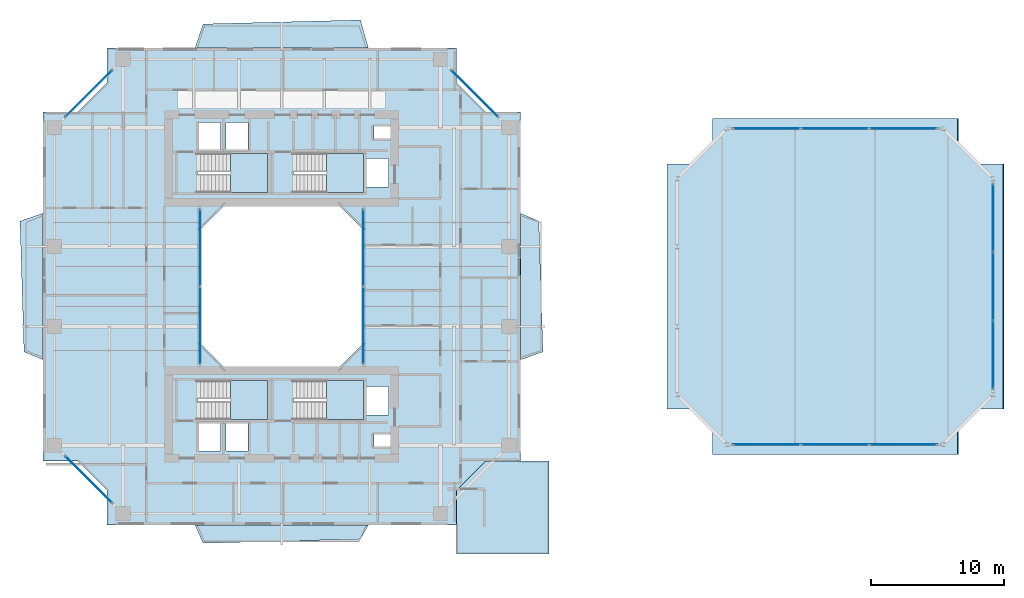
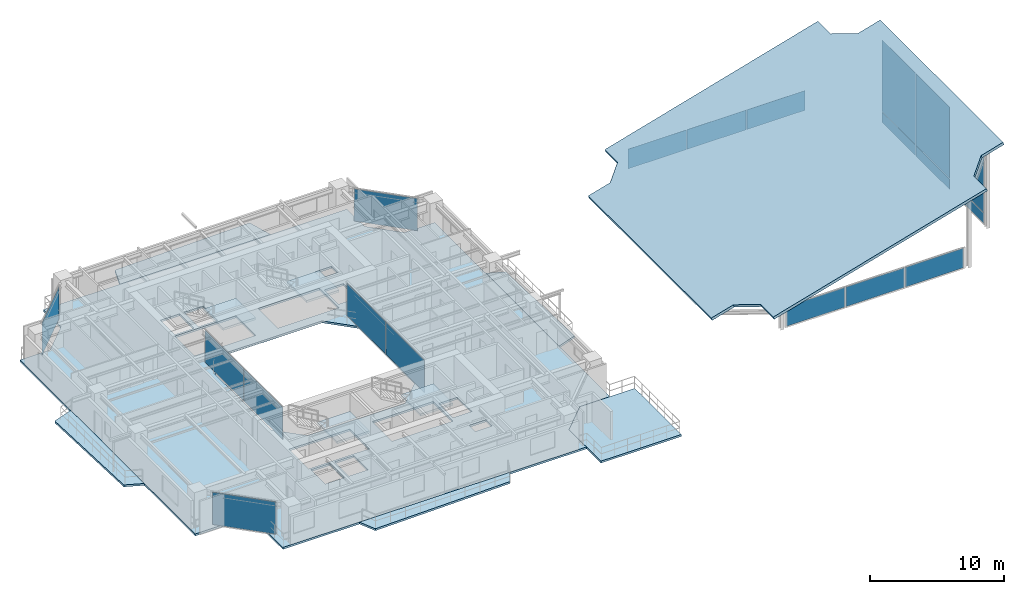
# One storey, part 16 of 28: 19 plates, 11 slabs, 12 elements without a shape of their own.
"""IFC4 building model written with IfcOpenShell, lengths in metres."""

import ifcopenshell
import ifcopenshell.guid

model = None  # the IFC model being written
_history = None  # IfcOwnerHistory: only IFC2X3 demands one
_inside = {}  # id of a spatial element -> (the spatial element, [elements in it])
_under = {}  # id of a project, library or spatial element -> (it, [spatial elements below it])
_declared = {}  # id of a project -> (the project, [libraries it declares])
_typed = {}  # id of a type object -> (the type object, [elements of that type])
_made_of = {}  # id of a material, layer set ... -> (it, [elements and type objects made of it])


def new_model(schema):
    """Start an empty IFC model of exactly this schema.

    Asked for "IFC4X3", IfcOpenShell would pick the latest addendum, in which some entities
    have other attributes; the version numbers below select the first issue.
    IFC2X3 requires an IfcOwnerHistory on every rooted entity: one is made here for all.
    """
    global model, _history
    if schema == "IFC4X3":
        model = ifcopenshell.file(schema_version=(4, 3, 0, 0))
    else:
        model = ifcopenshell.file(schema=schema)
    _inside.clear()
    _under.clear()
    _declared.clear()
    _typed.clear()
    _made_of.clear()
    _history = None
    if model.schema == "IFC2X3":
        org = make("IfcOrganization", Name="unknown")
        user = make(
            "IfcPersonAndOrganization",
            ThePerson=make("IfcPerson", FamilyName="unknown"),
            TheOrganization=org,
        )
        app = make(
            "IfcApplication",
            ApplicationDeveloper=org,
            Version="unknown",
            ApplicationFullName="unknown",
            ApplicationIdentifier="unknown",
        )
        _history = make(
            "IfcOwnerHistory",
            OwningUser=user,
            OwningApplication=app,
            ChangeAction="ADDED",
            CreationDate=0,
        )
    return model


def make(cls, **values):
    """One entity of the class cls with the attributes given. An attribute that is None is left unset."""
    return model.create_entity(
        cls, **{name: value for name, value in values.items() if value is not None}
    )


def rooted(cls, **values):
    """An entity with a GlobalId (a new one), such as an element, a storey or a relation."""
    return make(cls, GlobalId=ifcopenshell.guid.new(), OwnerHistory=_history, **values)


def si_unit(unit_type, name, prefix=None):
    """IfcSIUnit, for example si_unit("LENGTHUNIT", "METRE", prefix="MILLI")."""
    return make("IfcSIUnit", UnitType=unit_type, Prefix=prefix, Name=name)


def assignment(units):
    """IfcUnitAssignment: the units of a project."""
    return None if units is None else make("IfcUnitAssignment", Units=units)


def point(xyz):
    """IfcCartesianPoint."""
    return None if xyz is None else make("IfcCartesianPoint", Coordinates=xyz)


def direction(xyz):
    """IfcDirection."""
    return None if xyz is None else make("IfcDirection", DirectionRatios=xyz)


def frame(location, z_axis=None, x_axis=None):
    """IfcAxis2Placement3D, a coordinate frame: its origin and axes. An axis left out is left unset."""
    return make(
        "IfcAxis2Placement3D",
        Location=point(location),
        Axis=direction(z_axis),
        RefDirection=direction(x_axis),
    )


def frame_2d(location, x_axis=None):
    """IfcAxis2Placement2D, a coordinate frame in the plane: its origin and x axis."""
    return make(
        "IfcAxis2Placement2D", Location=point(location), RefDirection=direction(x_axis)
    )


def origin():
    """The frame at (0, 0, 0) with its axes left unset."""
    return frame((0.0, 0.0, 0.0))


def origin_2d():
    """The frame at (0, 0) in the plane with its x axis left unset."""
    return frame_2d((0.0, 0.0))


def place(relative_to, where):
    """IfcLocalPlacement: puts the frame where relative to a parent placement (None: the world)."""
    return make(
        "IfcLocalPlacement", PlacementRelTo=relative_to, RelativePlacement=where
    )


def context(
    kind, dimensions, precision=None, world=None, true_north=None, identifier=None
):
    """IfcGeometricRepresentationContext, for example the 3D "Model" context."""
    return make(
        "IfcGeometricRepresentationContext",
        ContextIdentifier=identifier,
        ContextType=kind,
        CoordinateSpaceDimension=dimensions,
        Precision=precision,
        WorldCoordinateSystem=world,
        TrueNorth=true_north,
    )


def subcontext(parent, identifier, kind, view, scale=None):
    """IfcGeometricRepresentationSubContext, for example "Body" below "Model"."""
    return make(
        "IfcGeometricRepresentationSubContext",
        ContextIdentifier=identifier,
        ContextType=kind,
        ParentContext=parent,
        TargetScale=scale,
        TargetView=view,
    )


def project(units=None, contexts=None):
    """IfcProject with its units and contexts."""
    return rooted(
        "IfcProject",
        Name="project",
        RepresentationContexts=contexts,
        UnitsInContext=assignment(units),
    )


def spatial(cls, under=None, at=None, **own):
    """A site, building, storey or space (cls), placed at a placement, below another one or the project."""
    s = rooted(cls, ObjectPlacement=at, **own)
    if under is not None:
        _under.setdefault(under.id(), (under, []))[1].append(s)
    return s


def polyline(points):
    """IfcPolyline through the points."""
    return make("IfcPolyline", Points=[point(p) for p in points])


def profile(cls, at=None, kind="AREA", **sizes):
    """A parametric profile (cls). Its sizes go by their IFC names, for example OverallWidth=200.0."""
    return make(cls, ProfileType=kind, Position=at, **sizes)


def rectangle(**sizes):
    """IfcRectangleProfileDef."""
    return profile("IfcRectangleProfileDef", **sizes)


def outline(outer, holes=None, kind="AREA"):
    """IfcArbitraryClosedProfileDef: a profile drawn as a closed curve; with holes, ...WithVoids."""
    if holes is None:
        return make("IfcArbitraryClosedProfileDef", ProfileType=kind, OuterCurve=outer)
    return make(
        "IfcArbitraryProfileDefWithVoids",
        ProfileType=kind,
        OuterCurve=outer,
        InnerCurves=holes,
    )


def extrude(swept, where, along, depth):
    """IfcExtrudedAreaSolid: the profile swept, set in the frame where, extruded along a direction by depth."""
    return make(
        "IfcExtrudedAreaSolid",
        SweptArea=swept,
        Position=where,
        ExtrudedDirection=direction(along),
        Depth=depth,
    )


def shape(context_of_items, identifier, shape_type, items):
    """IfcShapeRepresentation: the items that make up one representation, for example the "Body"."""
    return make(
        "IfcShapeRepresentation",
        ContextOfItems=context_of_items,
        RepresentationIdentifier=identifier,
        RepresentationType=shape_type,
        Items=items,
    )


def source(mapping_origin, context_of_items, identifier, shape_type, items):
    """IfcRepresentationMap: a shape defined once, which mapped items show again and again."""
    return make(
        "IfcRepresentationMap",
        MappingOrigin=mapping_origin,
        MappedRepresentation=shape(context_of_items, identifier, shape_type, items),
    )


def transform(
    local_origin,
    x_axis=None,
    y_axis=None,
    z_axis=None,
    scale=None,
    scale2=None,
    scale3=None,
    uniform=True,
):
    """IfcCartesianTransformationOperator3D, or its non-uniform kind. x_axis, y_axis, z_axis: its Axis1, 2, 3."""
    if uniform:
        return make(
            "IfcCartesianTransformationOperator3D",
            Axis1=direction(x_axis),
            Axis2=direction(y_axis),
            LocalOrigin=point(local_origin),
            Scale=scale,
            Axis3=direction(z_axis),
        )
    return make(
        "IfcCartesianTransformationOperator3DnonUniform",
        Axis1=direction(x_axis),
        Axis2=direction(y_axis),
        LocalOrigin=point(local_origin),
        Scale=scale,
        Axis3=direction(z_axis),
        Scale2=scale2,
        Scale3=scale3,
    )


def mapped(mapping_source, mapping_target):
    """IfcMappedItem: shows the shape of a source again, moved by a transform."""
    return make(
        "IfcMappedItem", MappingSource=mapping_source, MappingTarget=mapping_target
    )


def material(Name=None, Category=None):
    """IfcMaterial."""
    return make("IfcMaterial", Name=Name, Category=Category)


def layer(
    of_material, thickness, ventilated=None, Name=None, Category=None, Priority=None
):
    """IfcMaterialLayer: one layer of a wall or slab, of a material (None: an air gap)."""
    return make(
        "IfcMaterialLayer",
        Material=of_material,
        LayerThickness=thickness,
        IsVentilated=ventilated,
        Name=Name,
        Category=Category,
        Priority=Priority,
    )


def layer_set(layers, Name=None):
    """IfcMaterialLayerSet."""
    return make("IfcMaterialLayerSet", MaterialLayers=layers, LayerSetName=Name)


def made_of(thing, what):
    """Note that an element or type object is made of a material, layer set ...; save() writes the relation."""
    if what is not None:
        _made_of.setdefault(what.id(), (what, []))[1].append(thing)
    return thing


def type_object(cls, material=None, **own):
    """A type object (cls), such as IfcWallType, which elements share."""
    return made_of(rooted(cls, **own), material)


def element(
    cls,
    number,
    at=None,
    inside=None,
    cuts=None,
    type_object=None,
    material=None,
    context=None,
    identifier="Body",
    shape_type=None,
    held_by="IfcProductDefinitionShape",
    body=None,
    shapes=None,
    **own,
):
    """One element of the class cls, such as IfcWall. Its Tag is "e" and its number.

    at: its placement. inside: the storey or other place that contains it. cuts: it is an
    opening in that element (IfcRelVoidsElement). A single representation is given by context,
    identifier, shape_type and body (its items); several are given by shapes. held_by: the class
    of the entity that holds the representations. save() writes the other relations.
    """
    e = rooted(cls, Tag="e%d" % number, ObjectPlacement=at, **own)
    if body is not None:
        shapes = [shape(context, identifier, shape_type, body)]
    if shapes is not None:
        e.Representation = make(held_by, Representations=shapes)
    if inside is not None:
        _inside.setdefault(inside.id(), (inside, []))[1].append(e)
    if cuts is not None:
        rooted(
            "IfcRelVoidsElement", RelatingBuildingElement=cuts, RelatedOpeningElement=e
        )
    if type_object is not None:
        _typed.setdefault(type_object.id(), (type_object, []))[1].append(e)
    return made_of(e, material)


def aggregate(whole, parts):
    """IfcRelAggregates: a whole, such as a stair, and the parts it consists of."""
    return rooted("IfcRelAggregates", RelatingObject=whole, RelatedObjects=parts)


def save(model, path):
    """Write the relations noted so far, then the file.

    IfcRelAggregates (storeys below a building ...), IfcRelContainedInSpatialStructure (elements
    in a storey), IfcRelDefinesByType, IfcRelAssociatesMaterial and IfcRelDeclares: one each for
    every whole, place, type object, material and project.
    """
    for whole, parts in _under.values():
        aggregate(whole, parts)
    for where, things in _inside.values():
        rooted(
            "IfcRelContainedInSpatialStructure",
            RelatedElements=things,
            RelatingStructure=where,
        )
    for kind, things in _typed.values():
        rooted("IfcRelDefinesByType", RelatedObjects=things, RelatingType=kind)
    for what, things in _made_of.values():
        rooted("IfcRelAssociatesMaterial", RelatedObjects=things, RelatingMaterial=what)
    for by, libraries in _declared.values():
        rooted("IfcRelDeclares", RelatingContext=by, RelatedDefinitions=libraries)
    model.write(path)


model = new_model("IFC4")

# Units and contexts
model_context = context("Model", 3, precision=1e-05, world=origin(), true_north=direction((0.0, 1.0)))
body_context = subcontext(model_context, "Body", "Model", "MODEL_VIEW")
ifc_project = project(units=[si_unit("LENGTHUNIT", "METRE"), si_unit("AREAUNIT", "SQUARE_METRE"), si_unit("VOLUMEUNIT", "CUBIC_METRE"), si_unit("PLANEANGLEUNIT", "RADIAN"), si_unit("MASSUNIT", "GRAM", prefix="KILO"), si_unit("THERMODYNAMICTEMPERATUREUNIT", "KELVIN"), si_unit("POWERUNIT", "WATT")], contexts=[model_context])

# Site, building, storey
site_placement = place(None, origin())
site = spatial("IfcSite", under=ifc_project, at=site_placement, CompositionType="ELEMENT")
building_placement = place(site_placement, origin())
building = spatial("IfcBuilding", under=site, at=building_placement, Name="Qiaomeng Ring Towers", CompositionType="ELEMENT")
storey_placement = place(building_placement, frame((0.0, 0.0, 113.25)))
storey = spatial("IfcBuildingStorey", under=building, at=storey_placement, Name="L32", CompositionType="ELEMENT", Elevation=113.25)

# Slabs
ifc_material_1 = material(Name="Concrete C40", Category="concrete")
ifc_layer_1 = layer(ifc_material_1, 0.179931640625, Name="Concrete C40")
ifc_layer_set_1 = layer_set([ifc_layer_1], Name="Concrete C40")
slab_type_1 = type_object("IfcSlabType", Name="STR-SL-180", PredefinedType="FLOOR", material=ifc_layer_set_1)
slab_1_placement = place(storey_placement, frame((0.0, 0.0, -0.179931640625)))
element("IfcSlab", 1, at=slab_1_placement, inside=storey, type_object=slab_type_1, Name="L32 Tower 1 Annular Floor Slab", PredefinedType="FLOOR", context=body_context, shape_type="SweptSolid", body=[
    extrude(outline(polyline([(5.89990234375, 5.10009765625), (32.10009765625, 5.10009765625), (32.10009765625, 7.699951171875), (34.300048828125, 9.89990234375), (36.89990234375, 9.89990234375), (36.89990234375, 36.10009765625), (34.300048828125, 36.10009765625), (32.10009765625, 38.300048828125), (32.10009765625, 40.89990234375), (5.89990234375, 40.89990234375), (5.89990234375, 38.300048828125), (3.699951171875, 36.10009765625), (1.10009765625, 36.10009765625), (1.10009765625, 9.89990234375), (3.699951171875, 9.89990234375), (5.89990234375, 7.699951171875), (5.89990234375, 5.10009765625)]), holes=[polyline([(12.780029296875, 10.679931640625), (12.780029296875, 12.820068359375), (14.419921875, 12.820068359375), (14.419921875, 10.679931640625), (12.780029296875, 10.679931640625)]), polyline([(14.830078125, 12.820068359375), (16.469970703125, 12.820068359375), (16.469970703125, 10.679931640625), (14.830078125, 10.679931640625), (14.830078125, 12.820068359375)]), polyline([(12.679931640625, 15.949951171875), (17.949951171875, 15.949951171875), (17.949951171875, 13.010009765625), (12.679931640625, 13.010009765625), (12.679931640625, 15.949951171875)]), polyline([(23.199951171875, 29.199951171875), (25.199951171875, 27.199951171875), (25.199951171875, 18.800048828125), (23.199951171875, 16.800048828125), (14.800048828125, 16.800048828125), (12.800048828125, 18.800048828125), (12.800048828125, 27.199951171875), (14.800048828125, 29.199951171875), (23.199951171875, 29.199951171875)]), polyline([(12.679931640625, 32.989990234375), (17.949951171875, 32.989990234375), (17.949951171875, 30.050048828125), (12.679931640625, 30.050048828125), (12.679931640625, 32.989990234375)]), polyline([(12.780029296875, 35.320068359375), (14.419921875, 35.320068359375), (14.419921875, 33.179931640625), (12.780029296875, 33.179931640625), (12.780029296875, 35.320068359375)]), polyline([(14.830078125, 33.179931640625), (14.830078125, 35.320068359375), (16.469970703125, 35.320068359375), (16.469970703125, 33.179931640625), (14.830078125, 33.179931640625)]), polyline([(25.919921875, 11.89990234375), (27.360107421875, 11.89990234375), (27.360107421875, 11.0), (25.919921875, 11.0), (25.919921875, 11.89990234375)]), polyline([(25.360107421875, 15.52001953125), (27.0, 15.52001953125), (27.0, 13.3798828125), (25.360107421875, 13.3798828125), (25.360107421875, 15.52001953125)]), polyline([(19.8798828125, 15.949951171875), (25.14990234375, 15.949951171875), (25.14990234375, 13.010009765625), (19.8798828125, 13.010009765625), (19.8798828125, 15.949951171875)]), polyline([(19.8798828125, 32.989990234375), (25.14990234375, 32.989990234375), (25.14990234375, 30.050048828125), (19.8798828125, 30.050048828125), (19.8798828125, 32.989990234375)]), polyline([(25.360107421875, 32.6201171875), (27.0, 32.6201171875), (27.0, 30.47998046875), (25.360107421875, 30.47998046875), (25.360107421875, 32.6201171875)]), polyline([(25.919921875, 35.0), (27.360107421875, 35.0), (27.360107421875, 34.10009765625), (25.919921875, 34.10009765625), (25.919921875, 35.0)])]), origin(), (0.0, 0.0, 1.0), 0.179931640625),
])
ifc_layer_2 = layer(ifc_material_1, 0.179931640625, Name="Concrete C40")
ifc_layer_set_2 = layer_set([ifc_layer_2], Name="Concrete C40")
slab_type_2 = type_object("IfcSlabType", Name="STR-SL-BAL", PredefinedType="FLOOR", material=ifc_layer_set_2)
slab_2_placement = place(storey_placement, frame((0.0, 0.0, -0.179931640625)))
element("IfcSlab", 2, at=slab_2_placement, inside=storey, type_object=slab_type_2, Name="L32 Tower 1 S Faceted Balcony Slab", PredefinedType="FLOOR", context=body_context, shape_type="SweptSolid", body=[
    extrude(outline(polyline([(24.89990234375, 4.050048828125), (13.10009765625, 3.75), (12.5, 5.10009765625), (25.5, 5.10009765625), (24.89990234375, 4.050048828125)])), origin(), (0.0, 0.0, 1.0), 0.179931640625),
])
slab_3_placement = place(storey_placement, frame((0.0, 0.0, -0.179931640625)))
element("IfcSlab", 3, at=slab_3_placement, inside=storey, type_object=slab_type_2, Name="L32 Tower 1 E Faceted Balcony Slab", PredefinedType="FLOOR", context=body_context, shape_type="SweptSolid", body=[
    extrude(outline(polyline([(38.2900390625, 27.89990234375), (38.590087890625, 18.10009765625), (36.89990234375, 17.5), (36.89990234375, 28.5), (38.2900390625, 27.89990234375)])), origin(), (0.0, 0.0, 1.0), 0.179931640625),
])
slab_4_placement = place(storey_placement, frame((0.0, 0.0, -0.179931640625)))
element("IfcSlab", 4, at=slab_4_placement, inside=storey, type_object=slab_type_2, Name="L32 Tower 1 N Faceted Balcony Slab", PredefinedType="FLOOR", context=body_context, shape_type="SweptSolid", body=[
    extrude(outline(polyline([(12.5, 40.89990234375), (13.10009765625, 42.68994140625), (24.89990234375, 42.989990234375), (25.5, 40.89990234375), (12.5, 40.89990234375)])), origin(), (0.0, 0.0, 1.0), 0.179931640625),
])
slab_5_placement = place(storey_placement, frame((0.0, 0.0, -0.179931640625)))
element("IfcSlab", 5, at=slab_5_placement, inside=storey, type_object=slab_type_2, Name="L32 Tower 1 W Faceted Balcony Slab", PredefinedType="FLOOR", context=body_context, shape_type="SweptSolid", body=[
    extrude(outline(polyline([(-0.330078125, 18.10009765625), (-0.6298828125, 27.89990234375), (1.10009765625, 28.5), (1.10009765625, 17.5), (-0.330078125, 18.10009765625)])), origin(), (0.0, 0.0, 1.0), 0.179931640625),
])

# Stair, slab
ifc_material_2 = material(Name="Precast concrete C40", Category="concrete")
stair_type = type_object("IfcStairType", Name="ARC-ST-325", PredefinedType="HALF_TURN_STAIR", material=ifc_material_2)
stair_1_placement = place(storey_placement, origin())
stair_1 = element("IfcStair", 6, at=stair_1_placement, inside=storey, type_object=stair_type, Name="L32 Tower 1 North Stair 1", PredefinedType="HALF_TURN_STAIR")
ifc_layer_3 = layer(ifc_material_1, 0.199951171875, Name="Concrete C40")
ifc_layer_set_3 = layer_set([ifc_layer_3], Name="Concrete C40")
slab_type_3 = type_object("IfcSlabType", Name="STR-SL-LANDING", PredefinedType="LANDING", material=ifc_layer_set_3)
slab_6_placement = place(storey_placement, frame((0.0, 0.0, 1.425048828125)))
slab_6 = element("IfcSlab", 7, at=slab_6_placement, type_object=slab_type_3, Name="ST1 landing 1", PredefinedType="LANDING", context=body_context, shape_type="SweptSolid", body=[
    extrude(outline(polyline([(15.139892578125, 30.050048828125), (17.949951171875, 30.050048828125), (17.949951171875, 32.989990234375), (15.139892578125, 32.989990234375), (15.139892578125, 30.050048828125)])), origin(), (0.0, 0.0, 1.0), 0.199951171875),
])
aggregate(stair_1, [slab_6])

stair_2_placement = place(storey_placement, origin())
stair_2 = element("IfcStair", 8, at=stair_2_placement, inside=storey, type_object=stair_type, Name="L32 Tower 1 North Stair 2", PredefinedType="HALF_TURN_STAIR")
slab_7_placement = place(storey_placement, frame((0.0, 0.0, 1.425048828125)))
slab_7 = element("IfcSlab", 9, at=slab_7_placement, type_object=slab_type_3, Name="ST2 landing 1", PredefinedType="LANDING", context=body_context, shape_type="SweptSolid", body=[
    extrude(outline(polyline([(22.340087890625, 30.050048828125), (25.14990234375, 30.050048828125), (25.14990234375, 32.989990234375), (22.340087890625, 32.989990234375), (22.340087890625, 30.050048828125)])), origin(), (0.0, 0.0, 1.0), 0.199951171875),
])
aggregate(stair_2, [slab_7])

stair_3_placement = place(storey_placement, origin())
stair_3 = element("IfcStair", 10, at=stair_3_placement, inside=storey, type_object=stair_type, Name="L32 Tower 1 South Stair 3", PredefinedType="HALF_TURN_STAIR")
slab_8_placement = place(storey_placement, frame((0.0, 0.0, 1.425048828125)))
slab_8 = element("IfcSlab", 11, at=slab_8_placement, type_object=slab_type_3, Name="ST3 landing 1", PredefinedType="LANDING", context=body_context, shape_type="SweptSolid", body=[
    extrude(outline(polyline([(15.139892578125, 13.010009765625), (17.949951171875, 13.010009765625), (17.949951171875, 15.949951171875), (15.139892578125, 15.949951171875), (15.139892578125, 13.010009765625)])), origin(), (0.0, 0.0, 1.0), 0.199951171875),
])
aggregate(stair_3, [slab_8])

stair_4_placement = place(storey_placement, origin())
stair_4 = element("IfcStair", 12, at=stair_4_placement, inside=storey, type_object=stair_type, Name="L32 Tower 1 South Stair 4", PredefinedType="HALF_TURN_STAIR")
slab_9_placement = place(storey_placement, frame((0.0, 0.0, 1.425048828125)))
slab_9 = element("IfcSlab", 13, at=slab_9_placement, type_object=slab_type_3, Name="ST4 landing 1", PredefinedType="LANDING", context=body_context, shape_type="SweptSolid", body=[
    extrude(outline(polyline([(22.340087890625, 13.010009765625), (25.14990234375, 13.010009765625), (25.14990234375, 15.949951171875), (22.340087890625, 15.949951171875), (22.340087890625, 13.010009765625)])), origin(), (0.0, 0.0, 1.0), 0.199951171875),
])
aggregate(stair_4, [slab_9])

# Slabs
ifc_layer_4 = layer(ifc_material_1, 0.25, Name="Concrete C40")
ifc_layer_set_4 = layer_set([ifc_layer_4], Name="Concrete C40")
slab_type_4 = type_object("IfcSlabType", Name="STR-SL-ROOF", PredefinedType="ROOF", material=ifc_layer_set_4)
slab_10_placement = place(storey_placement, frame((51.300048828125, 10.39990234375, 1.9248046875), z_axis=(-0.275638382874, 0.0, 0.961261401434), x_axis=(0.961261401434, 0.0, 0.275638382874)))
element("IfcSlab", 14, at=slab_10_placement, inside=storey, type_object=slab_type_4, Name="Companion Tower 2 Slanted-Cut Closed Crown Roof Slab", PredefinedType="ROOF", context=body_context, shape_type="SweptSolid", body=[
    extrude(outline(polyline([(0.0, 0.0), (19.141417937684327, 0.0), (19.141417937684327, 1.9001464843749998), (20.70188299653044, 3.4001464843749996), (22.67862185344806, 3.4001464843749996), (22.67862185344806, 21.800048828124996), (20.70188299653044, 21.800048828124996), (19.141417937684327, 23.300048828124996), (19.141417937684327, 25.200195312499996), (0.0, 25.200195312499996), (0.0, 23.300048828124996), (-1.5603977643190445, 21.800048828124996), (-3.5371366212366646, 21.800048828124996), (-3.5371366212366646, 3.4001464843749996), (-1.5603977643190445, 3.4001464843749996), (0.0, 1.9001464843749998), (0.0, 0.0)])), origin(), (0.0, 0.0, -1.0), 0.25),
])
ifc_layer_5 = layer(ifc_material_1, 0.179931640625, Name="Concrete C40")
ifc_layer_set_5 = layer_set([ifc_layer_5], Name="Concrete C40")
slab_type_5 = type_object("IfcSlabType", Name="STR-SL-TERR180", PredefinedType="FLOOR", material=ifc_layer_set_5)
slab_11_placement = place(storey_placement, frame((0.0, 0.0, -0.179931640625)))
element("IfcSlab", 15, at=slab_11_placement, inside=storey, type_object=slab_type_5, Name="L32 Spiralling Corner Sky Terrace SE", PredefinedType="FLOOR", context=body_context, shape_type="SweptSolid", body=[
    extrude(outline(polyline([(39.050048828125, 9.89990234375), (39.050048828125, 2.949951171875), (32.10009765625, 2.949951171875), (32.10009765625, 5.10009765625), (32.10009765625, 7.699951171875), (34.300048828125, 9.89990234375), (36.89990234375, 9.89990234375), (36.89990234375, 9.89990234375), (39.050048828125, 9.89990234375)])), origin(), (0.0, 0.0, 1.0), 0.179931640625),
])

# Curtain wall, plates
ifc_material_3 = material(Name="Fluorocarbon dark-grey aluminium", Category="aluminium")
ifc_layer_6 = layer(ifc_material_3, 0.139892578125, Name="Fluorocarbon dark-grey aluminium")
ifc_layer_set_6 = layer_set([ifc_layer_6], Name="Fluorocarbon dark-grey aluminium")
curtain_wall_type_1 = type_object("IfcCurtainWallType", Name="ARC-CW-4", PredefinedType="NOTDEFINED", material=ifc_layer_set_6)
curtain_wall_1_placement = place(storey_placement, origin())
curtain_wall_1 = element("IfcCurtainWall", 16, at=curtain_wall_1_placement, inside=storey, type_object=curtain_wall_type_1, Name="L32 Curtain Wall CW4", PredefinedType="NOTDEFINED")
ifc_material_4 = material(Name="Low-E dark-grey laminated double glazing", Category="glass")
ifc_layer_7 = layer(ifc_material_4, 0.028076171875, Name="Low-E dark-grey laminated double glazing")
ifc_layer_set_7 = layer_set([ifc_layer_7], Name="Low-E dark-grey laminated double glazing")
plate_type = type_object("IfcPlateType", Name="ARC-CWP-DARK", PredefinedType="CURTAIN_PANEL", material=ifc_layer_set_7)
shared_shape_1 = source(origin(), body_context, "Body", "SweptSolid", [
    extrude(rectangle(XDim=5.75244140625, YDim=0.028076171875, at=origin_2d()), origin(), (0.0, 0.0, 1.0), 2.93994140625),
])
plate_1_placement = place(storey_placement, frame((12.8798828125, 20.09130859375, 0.06494140625), z_axis=(0.0, 0.0, 1.0), x_axis=(0.0, 1.0, 0.0)))
plate_1 = element("IfcPlate", 17, at=plate_1_placement, type_object=plate_type, Name="CW4 panel 1.1", PredefinedType="CURTAIN_PANEL", context=body_context, shape_type="MappedRepresentation", body=[
    mapped(shared_shape_1, transform((0.0, 0.0, 0.0), x_axis=(1.0, 0.0, 0.0), y_axis=(0.0, 1.0, 0.0), z_axis=(0.0, 0.0, 1.0), scale=1.0)),
])
plate_2_placement = place(storey_placement, frame((12.8798828125, 25.90869140625, 0.06494140625), z_axis=(0.0, 0.0, 1.0), x_axis=(0.0, 1.0, 0.0)))
plate_2 = element("IfcPlate", 18, at=plate_2_placement, type_object=plate_type, Name="CW4 panel 2.1", PredefinedType="CURTAIN_PANEL", context=body_context, shape_type="MappedRepresentation", body=[
    mapped(shared_shape_1, transform((0.0, 0.0, 0.0), x_axis=(1.0, 0.0, 0.0), y_axis=(0.0, 1.0, 0.0), z_axis=(0.0, 0.0, 1.0), scale=1.0)),
])
aggregate(curtain_wall_1, [plate_1, plate_2])

curtain_wall_2_placement = place(storey_placement, origin())
curtain_wall_2 = element("IfcCurtainWall", 19, at=curtain_wall_2_placement, inside=storey, type_object=curtain_wall_type_1, Name="L32 Curtain Wall CW4", PredefinedType="NOTDEFINED")
plate_3_placement = place(storey_placement, frame((25.1201171875, 20.09130859375, 0.06494140625), z_axis=(0.0, 0.0, 1.0), x_axis=(0.0, 1.0, 0.0)))
plate_3 = element("IfcPlate", 20, at=plate_3_placement, type_object=plate_type, Name="CW4 panel 1.1", PredefinedType="CURTAIN_PANEL", context=body_context, shape_type="MappedRepresentation", body=[
    mapped(shared_shape_1, transform((0.0, 0.0, 0.0), x_axis=(1.0, 0.0, 0.0), y_axis=(0.0, 1.0, 0.0), z_axis=(0.0, 0.0, 1.0), scale=1.0)),
])
plate_4_placement = place(storey_placement, frame((25.1201171875, 25.90869140625, 0.06494140625), z_axis=(0.0, 0.0, 1.0), x_axis=(0.0, 1.0, 0.0)))
plate_4 = element("IfcPlate", 21, at=plate_4_placement, type_object=plate_type, Name="CW4 panel 2.1", PredefinedType="CURTAIN_PANEL", context=body_context, shape_type="MappedRepresentation", body=[
    mapped(shared_shape_1, transform((0.0, 0.0, 0.0), x_axis=(1.0, 0.0, 0.0), y_axis=(0.0, 1.0, 0.0), z_axis=(0.0, 0.0, 1.0), scale=1.0)),
])
aggregate(curtain_wall_2, [plate_3, plate_4])

# Curtain wall, plate
ifc_layer_8 = layer(ifc_material_3, 0.14990234375, Name="Fluorocarbon dark-grey aluminium")
ifc_layer_set_8 = layer_set([ifc_layer_8], Name="Fluorocarbon dark-grey aluminium")
curtain_wall_type_2 = type_object("IfcCurtainWallType", Name="ARC-CW-3", PredefinedType="NOTDEFINED", material=ifc_layer_set_8)
curtain_wall_3_placement = place(storey_placement, origin())
curtain_wall_3 = element("IfcCurtainWall", 22, at=curtain_wall_3_placement, inside=storey, type_object=curtain_wall_type_2, Name="L32 Curtain Wall CW3", PredefinedType="NOTDEFINED")
shared_shape_2 = source(origin(), body_context, "Body", "SweptSolid", [
    extrude(rectangle(XDim=4.90869140625, YDim=0.028076171875, at=origin_2d()), origin(), (0.0, 0.0, 1.0), 2.93994140625),
])
plate_5_placement = place(storey_placement, frame((33.47509765625, 37.47509765625, 0.06494140625), z_axis=(0.0, 0.0, 1.0), x_axis=(-0.707106781187, 0.707106781187, 0.0)))
plate_5 = element("IfcPlate", 23, at=plate_5_placement, type_object=plate_type, Name="CW3 panel 1.1", PredefinedType="CURTAIN_PANEL", context=body_context, shape_type="MappedRepresentation", body=[
    mapped(shared_shape_2, transform((0.0, 0.0, 0.0), x_axis=(1.0, 0.0, 0.0), y_axis=(0.0, 1.0, 0.0), z_axis=(0.0, 0.0, 1.0), scale=1.0)),
])
aggregate(curtain_wall_3, [plate_5])

curtain_wall_4_placement = place(storey_placement, origin())
curtain_wall_4 = element("IfcCurtainWall", 24, at=curtain_wall_4_placement, inside=storey, type_object=curtain_wall_type_2, Name="L32 Curtain Wall CW3", PredefinedType="NOTDEFINED")
plate_6_placement = place(storey_placement, frame((4.52490234375, 37.47509765625, 0.06494140625), z_axis=(0.0, 0.0, 1.0), x_axis=(-0.707106781187, -0.707106781187, 0.0)))
plate_6 = element("IfcPlate", 25, at=plate_6_placement, type_object=plate_type, Name="CW3 panel 1.1", PredefinedType="CURTAIN_PANEL", context=body_context, shape_type="MappedRepresentation", body=[
    mapped(shared_shape_2, transform((0.0, 0.0, 0.0), x_axis=(1.0, 0.0, 0.0), y_axis=(0.0, 1.0, 0.0), z_axis=(0.0, 0.0, 1.0), scale=1.0)),
])
aggregate(curtain_wall_4, [plate_6])

curtain_wall_5_placement = place(storey_placement, origin())
curtain_wall_5 = element("IfcCurtainWall", 26, at=curtain_wall_5_placement, inside=storey, type_object=curtain_wall_type_2, Name="L32 Curtain Wall CW3", PredefinedType="NOTDEFINED")
plate_7_placement = place(storey_placement, frame((4.52490234375, 8.52490234375, 0.06494140625), z_axis=(0.0, 0.0, 1.0), x_axis=(0.707106781187, -0.707106781187, 0.0)))
plate_7 = element("IfcPlate", 27, at=plate_7_placement, type_object=plate_type, Name="CW3 panel 1.1", PredefinedType="CURTAIN_PANEL", context=body_context, shape_type="MappedRepresentation", body=[
    mapped(shared_shape_2, transform((0.0, 0.0, 0.0), x_axis=(1.0, 0.0, 0.0), y_axis=(0.0, 1.0, 0.0), z_axis=(0.0, 0.0, 1.0), scale=1.0)),
])
aggregate(curtain_wall_5, [plate_7])

# Curtain wall, plates
ifc_layer_9 = layer(ifc_material_3, 0.169921875, Name="Fluorocarbon dark-grey aluminium")
ifc_layer_set_9 = layer_set([ifc_layer_9], Name="Fluorocarbon dark-grey aluminium")
curtain_wall_type_3 = type_object("IfcCurtainWallType", Name="ARC-CW-6", PredefinedType="NOTDEFINED", material=ifc_layer_set_9)
curtain_wall_6_placement = place(storey_placement, origin())
curtain_wall_6 = element("IfcCurtainWall", 28, at=curtain_wall_6_placement, inside=storey, type_object=curtain_wall_type_3, Name="L32 Curtain Wall CW6", PredefinedType="NOTDEFINED")
shared_shape_3 = source(origin(), body_context, "Body", "SweptSolid", [
    extrude(rectangle(XDim=5.02001953125, YDim=0.028076171875, at=origin_2d()), origin(), (0.0, 0.0, 1.0), 1.80029296875),
])
plate_8_placement = place(storey_placement, frame((55.3798828125, 11.14990234375, 0.070068359375), z_axis=(0.0, 0.0, 1.0), x_axis=(1.0, 0.0, 0.0)))
plate_8 = element("IfcPlate", 29, at=plate_8_placement, type_object=plate_type, Name="CW6 panel 1.1", PredefinedType="CURTAIN_PANEL", context=body_context, shape_type="MappedRepresentation", body=[
    mapped(shared_shape_3, transform((0.0, 0.0, 0.0), x_axis=(1.0, 0.0, 0.0), y_axis=(0.0, 1.0, 0.0), z_axis=(0.0, 0.0, 1.0), scale=1.0)),
])
plate_9_placement = place(storey_placement, frame((65.6201171875, 11.14990234375, 0.070068359375), z_axis=(0.0, 0.0, 1.0), x_axis=(1.0, 0.0, 0.0)))
plate_9 = element("IfcPlate", 30, at=plate_9_placement, type_object=plate_type, Name="CW6 panel 3.1", PredefinedType="CURTAIN_PANEL", context=body_context, shape_type="MappedRepresentation", body=[
    mapped(shared_shape_3, transform((0.0, 0.0, 0.0), x_axis=(1.0, 0.0, 0.0), y_axis=(0.0, 1.0, 0.0), z_axis=(0.0, 0.0, 1.0), scale=1.0)),
])

curtain_wall_7_placement = place(storey_placement, origin())
curtain_wall_7 = element("IfcCurtainWall", 31, at=curtain_wall_7_placement, inside=storey, type_object=curtain_wall_type_3, Name="L32 Curtain Wall CW6", PredefinedType="NOTDEFINED")
plate_10_placement = place(storey_placement, frame((65.6201171875, 34.85009765625, 0.070068359375), z_axis=(0.0, 0.0, 1.0), x_axis=(-1.0, 0.0, 0.0)))
plate_10 = element("IfcPlate", 32, at=plate_10_placement, type_object=plate_type, Name="CW6 panel 1.1", PredefinedType="CURTAIN_PANEL", context=body_context, shape_type="MappedRepresentation", body=[
    mapped(shared_shape_3, transform((0.0, 0.0, 0.0), x_axis=(1.0, 0.0, 0.0), y_axis=(0.0, 1.0, 0.0), z_axis=(0.0, 0.0, 1.0), scale=1.0)),
])
plate_11_placement = place(storey_placement, frame((55.3798828125, 34.85009765625, 0.070068359375), z_axis=(0.0, 0.0, 1.0), x_axis=(-1.0, 0.0, 0.0)))
plate_11 = element("IfcPlate", 33, at=plate_11_placement, type_object=plate_type, Name="CW6 panel 3.1", PredefinedType="CURTAIN_PANEL", context=body_context, shape_type="MappedRepresentation", body=[
    mapped(shared_shape_3, transform((0.0, 0.0, 0.0), x_axis=(1.0, 0.0, 0.0), y_axis=(0.0, 1.0, 0.0), z_axis=(0.0, 0.0, 1.0), scale=1.0)),
])

# Plate
shared_shape_4 = source(origin(), body_context, "Body", "SweptSolid", [
    extrude(rectangle(XDim=5.06005859375, YDim=0.028076171875, at=origin_2d()), origin(), (0.0, 0.0, 1.0), 1.80029296875),
])
plate_12_placement = place(storey_placement, frame((60.5, 11.14990234375, 0.070068359375), z_axis=(0.0, 0.0, 1.0), x_axis=(1.0, 0.0, 0.0)))
plate_12 = element("IfcPlate", 34, at=plate_12_placement, type_object=plate_type, Name="CW6 panel 2.1", PredefinedType="CURTAIN_PANEL", context=body_context, shape_type="MappedRepresentation", body=[
    mapped(shared_shape_4, transform((0.0, 0.0, 0.0), x_axis=(1.0, 0.0, 0.0), y_axis=(0.0, 1.0, 0.0), z_axis=(0.0, 0.0, 1.0), scale=1.0)),
])

aggregate(curtain_wall_6, [plate_8, plate_12, plate_9])

plate_13_placement = place(storey_placement, frame((60.5, 34.85009765625, 0.070068359375), z_axis=(0.0, 0.0, 1.0), x_axis=(-1.0, 0.0, 0.0)))
plate_13 = element("IfcPlate", 35, at=plate_13_placement, type_object=plate_type, Name="CW6 panel 2.1", PredefinedType="CURTAIN_PANEL", context=body_context, shape_type="MappedRepresentation", body=[
    mapped(shared_shape_4, transform((0.0, 0.0, 0.0), x_axis=(1.0, 0.0, 0.0), y_axis=(0.0, 1.0, 0.0), z_axis=(0.0, 0.0, 1.0), scale=1.0)),
])

aggregate(curtain_wall_7, [plate_10, plate_13, plate_11])

# Curtain wall, plates
curtain_wall_8_placement = place(storey_placement, origin())
curtain_wall_8 = element("IfcCurtainWall", 36, at=curtain_wall_8_placement, inside=storey, type_object=curtain_wall_type_3, Name="L32 Curtain Wall CW6", PredefinedType="NOTDEFINED")
shared_shape_5 = source(origin(), body_context, "Body", "SweptSolid", [
    extrude(rectangle(XDim=5.02001953125, YDim=0.028076171875, at=origin_2d()), origin(), (0.0, 0.0, 1.0), 0.945068359375),
])
plate_14_placement = place(storey_placement, frame((72.35009765625, 17.8798828125, 0.06982421875), z_axis=(0.0, 0.0, 1.0), x_axis=(0.0, 1.0, 0.0)))
plate_14 = element("IfcPlate", 37, at=plate_14_placement, type_object=plate_type, Name="CW6 panel 1.1", PredefinedType="CURTAIN_PANEL", context=body_context, shape_type="MappedRepresentation", body=[
    mapped(shared_shape_5, transform((0.0, 0.0, 0.0), x_axis=(1.0, 0.0, 0.0), y_axis=(0.0, 1.0, 0.0), z_axis=(0.0, 0.0, 1.0), scale=1.0)),
])
plate_15_placement = place(storey_placement, frame((72.35009765625, 28.1201171875, 0.06982421875), z_axis=(0.0, 0.0, 1.0), x_axis=(0.0, 1.0, 0.0)))
plate_15 = element("IfcPlate", 38, at=plate_15_placement, type_object=plate_type, Name="CW6 panel 3.1", PredefinedType="CURTAIN_PANEL", context=body_context, shape_type="MappedRepresentation", body=[
    mapped(shared_shape_5, transform((0.0, 0.0, 0.0), x_axis=(1.0, 0.0, 0.0), y_axis=(0.0, 1.0, 0.0), z_axis=(0.0, 0.0, 1.0), scale=1.0)),
])
shared_shape_6 = source(origin(), body_context, "Body", "SweptSolid", [
    extrude(rectangle(XDim=5.02001953125, YDim=0.028076171875, at=origin_2d()), origin(), (0.0, 0.0, 1.0), 6.505859375),
])
plate_16_placement = place(storey_placement, frame((72.35009765625, 17.8798828125, 1.0849609375), z_axis=(0.0, 0.0, 1.0), x_axis=(0.0, 1.0, 0.0)))
plate_16 = element("IfcPlate", 39, at=plate_16_placement, type_object=plate_type, Name="CW6 panel 1.2", PredefinedType="CURTAIN_PANEL", context=body_context, shape_type="MappedRepresentation", body=[
    mapped(shared_shape_6, transform((0.0, 0.0, 0.0), x_axis=(1.0, 0.0, 0.0), y_axis=(0.0, 1.0, 0.0), z_axis=(0.0, 0.0, 1.0), scale=1.0)),
])
plate_17_placement = place(storey_placement, frame((72.35009765625, 28.1201171875, 1.0849609375), z_axis=(0.0, 0.0, 1.0), x_axis=(0.0, 1.0, 0.0)))
plate_17 = element("IfcPlate", 40, at=plate_17_placement, type_object=plate_type, Name="CW6 panel 3.2", PredefinedType="CURTAIN_PANEL", context=body_context, shape_type="MappedRepresentation", body=[
    mapped(shared_shape_6, transform((0.0, 0.0, 0.0), x_axis=(1.0, 0.0, 0.0), y_axis=(0.0, 1.0, 0.0), z_axis=(0.0, 0.0, 1.0), scale=1.0)),
])
shared_shape_7 = source(origin(), body_context, "Body", "SweptSolid", [
    extrude(rectangle(XDim=5.06005859375, YDim=0.028076171875, at=origin_2d()), origin(), (0.0, 0.0, 1.0), 0.945068359375),
])
plate_18_placement = place(storey_placement, frame((72.35009765625, 23.0, 0.06982421875), z_axis=(0.0, 0.0, 1.0), x_axis=(0.0, 1.0, 0.0)))
plate_18 = element("IfcPlate", 41, at=plate_18_placement, type_object=plate_type, Name="CW6 panel 2.1", PredefinedType="CURTAIN_PANEL", context=body_context, shape_type="MappedRepresentation", body=[
    mapped(shared_shape_7, transform((0.0, 0.0, 0.0), x_axis=(1.0, 0.0, 0.0), y_axis=(0.0, 1.0, 0.0), z_axis=(0.0, 0.0, 1.0), scale=1.0)),
])
shared_shape_8 = source(origin(), body_context, "Body", "SweptSolid", [
    extrude(rectangle(XDim=5.06005859375, YDim=0.028076171875, at=origin_2d()), origin(), (0.0, 0.0, 1.0), 6.505859375),
])
plate_19_placement = place(storey_placement, frame((72.35009765625, 23.0, 1.0849609375), z_axis=(0.0, 0.0, 1.0), x_axis=(0.0, 1.0, 0.0)))
plate_19 = element("IfcPlate", 42, at=plate_19_placement, type_object=plate_type, Name="CW6 panel 2.2", PredefinedType="CURTAIN_PANEL", context=body_context, shape_type="MappedRepresentation", body=[
    mapped(shared_shape_8, transform((0.0, 0.0, 0.0), x_axis=(1.0, 0.0, 0.0), y_axis=(0.0, 1.0, 0.0), z_axis=(0.0, 0.0, 1.0), scale=1.0)),
])
aggregate(curtain_wall_8, [plate_14, plate_16, plate_18, plate_19, plate_15, plate_17])

save(model, "model.ifc")
